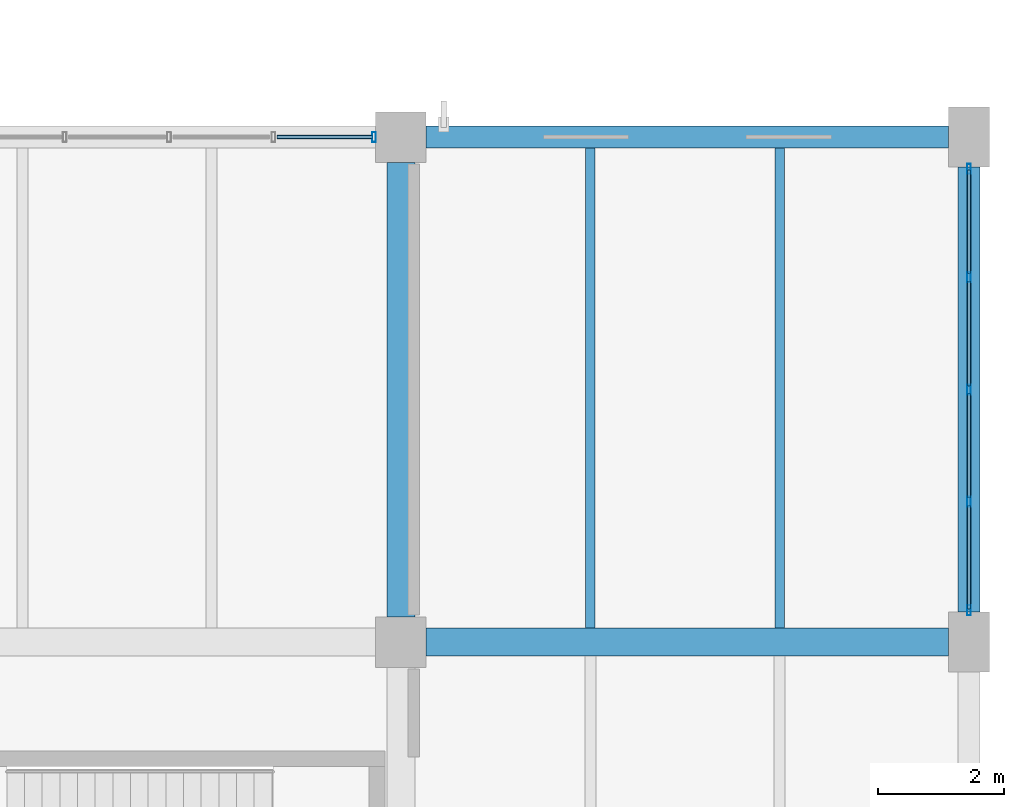
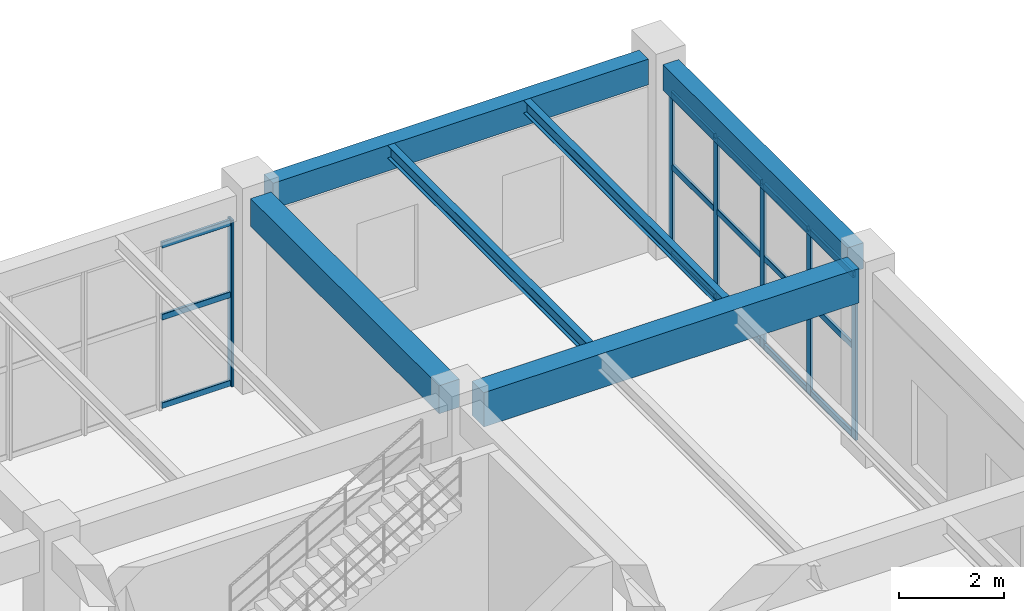
# One storey, part 137 of 178: 21 members, 6 beams, 2 elements without a shape of their own.
"""IFC4 building model written with IfcOpenShell, lengths in metres."""

from ifc_helpers import new_model, si_unit, derived_unit, direction, frame, origin, origin_2d, place, context, subcontext, project, spatial, rectangle, hollow_rectangle, i_section, extrude, material, material_profile, profile_set, type_object, element, aggregate, save


model = new_model("IFC4")

# Units and contexts
model_context = context("Model", 3, precision=1e-05, world=origin(), true_north=direction((0.0, 1.0)))
body_context = subcontext(model_context, "Body", "Model", "MODEL_VIEW")
ifc_project = project(units=[si_unit("LENGTHUNIT", "METRE"), si_unit("AREAUNIT", "SQUARE_METRE"), si_unit("VOLUMEUNIT", "CUBIC_METRE"), si_unit("PLANEANGLEUNIT", "RADIAN"), si_unit("MASSUNIT", "GRAM", prefix="KILO"), derived_unit("THERMALTRANSMITTANCEUNIT", [(si_unit("MASSUNIT", "GRAM", prefix="KILO"), 1), (si_unit("TIMEUNIT", "SECOND"), -3), (si_unit("THERMODYNAMICTEMPERATUREUNIT", "KELVIN"), -1)])], contexts=[model_context])

# Site, building, storey
site_placement = place(None, origin())
site = spatial("IfcSite", under=ifc_project, at=site_placement, CompositionType="ELEMENT")
building_placement = place(site_placement, origin())
building = spatial("IfcBuilding", under=site, at=building_placement, Name="Zhenchuan Archway Interchange", CompositionType="ELEMENT")
storey_placement = place(building_placement, frame((0.0, 0.0, 5.39990234375)))
storey = spatial("IfcBuildingStorey", under=building, at=storey_placement, Name="L01", CompositionType="ELEMENT", Elevation=5.39990234375)

# Beams
ifc_material_1 = material(Name="Concrete C40", Category="concrete")
ifc_material_profile_1 = material_profile(ifc_material_1, rectangle(XDim=0.449951171875, YDim=0.64990234375, at=origin_2d()), Name="RC 450x650")
ifc_profile_set_1 = profile_set([ifc_material_profile_1], Name="Concrete C40")
beam_type_1 = type_object("IfcBeamType", Name="BM_RC_450x650", PredefinedType="BEAM", material=ifc_profile_set_1)
beam_1_placement = place(storey_placement, frame((162.0, 96.39990234375, 4.18505859375), z_axis=(0.0, 1.0, 0.0), x_axis=(-1.0, 0.0, 0.0)))
element("IfcBeam", 1, at=beam_1_placement, inside=storey, type_object=beam_type_1, Name="Beam 19:N-O (L01)", PredefinedType="BEAM", context=body_context, shape_type="SweptSolid", body=[
    extrude(rectangle(XDim=0.449951171875, YDim=0.64990234375, at=origin_2d()), origin(), (0.0, 0.0, 1.0), 7.2001953125),
])
ifc_material_profile_2 = material_profile(ifc_material_1, rectangle(XDim=0.449951171875, YDim=0.800048828125, at=origin_2d()), Name="RC 450x800")
ifc_profile_set_2 = profile_set([ifc_material_profile_2], Name="Concrete C40")
beam_type_2 = type_object("IfcBeamType", Name="BM_RC_450x800", PredefinedType="BEAM", material=ifc_profile_set_2)
beam_2_placement = place(storey_placement, frame((162.39990234375, 96.0, 4.110107421875), z_axis=(1.0, 0.0, 0.0), x_axis=(0.0, 1.0, 0.0)))
element("IfcBeam", 2, at=beam_2_placement, inside=storey, type_object=beam_type_2, Name="Beam N:19-20 (L01)", PredefinedType="BEAM", context=body_context, shape_type="SweptSolid", body=[
    extrude(rectangle(XDim=0.449951171875, YDim=0.800048828125, at=origin_2d()), origin(), (0.0, 0.0, 1.0), 8.275146484375),
])

# Curtain wall, member
ifc_material_2 = material(Name="Anodised Aluminium", Category="aluminium")
curtain_wall_type_1 = type_object("IfcCurtainWallType", Name="CW_UNIT_4", PredefinedType="NOTDEFINED", material=ifc_material_2)
curtain_wall_1_placement = place(storey_placement, origin())
curtain_wall_1 = element("IfcCurtainWall", 3, at=curtain_wall_1_placement, inside=storey, type_object=curtain_wall_type_1, Name="Unitised curtain wall CW:L01:063", PredefinedType="NOTDEFINED")
ifc_material_profile_3 = material_profile(ifc_material_2, hollow_rectangle(XDim=0.06005859375, YDim=0.159912109375, WallThickness=0.00390625, InnerFilletRadius=0.00390625, OuterFilletRadius=0.008056640625, at=origin_2d()), Name="ALU 160x60x4")
ifc_profile_set_3 = profile_set([ifc_material_profile_3], Name="Anodised Aluminium")
member_type_1 = type_object("IfcMemberType", Name="CW_MUL_150", PredefinedType="MULLION", material=ifc_profile_set_3)
member_1_placement = place(storey_placement, frame((161.572021484375, 104.0, 0.0), z_axis=(0.0, 0.0, 1.0), x_axis=(1.0, 0.0, 0.0)))
member_1 = element("IfcMember", 4, at=member_1_placement, type_object=member_type_1, Name="CW:L01:063 mullion 5", PredefinedType="MULLION", context=body_context, shape_type="SweptSolid", body=[
    extrude(hollow_rectangle(XDim=0.06005859375, YDim=0.159912109375, WallThickness=0.00390625, InnerFilletRadius=0.00390625, OuterFilletRadius=0.008056640625, at=origin_2d()), origin(), (0.0, 0.0, 1.0), 3.880126953125),
])

# Curtain wall, members
curtain_wall_type_2 = type_object("IfcCurtainWallType", Name="CW_UNIT_1", PredefinedType="NOTDEFINED", material=ifc_material_2)
curtain_wall_2_placement = place(storey_placement, origin())
curtain_wall_2 = element("IfcCurtainWall", 5, at=curtain_wall_2_placement, inside=storey, type_object=curtain_wall_type_2, Name="Unitised curtain wall CW:L01:064", PredefinedType="NOTDEFINED")
member_2_placement = place(storey_placement, frame((171.0, 103.4970703125, 0.0), z_axis=(0.0, 0.0, 1.0), x_axis=(1.0, 0.0, 0.0)))
member_2 = element("IfcMember", 6, at=member_2_placement, type_object=member_type_1, Name="CW:L01:064 mullion 0", PredefinedType="MULLION", context=body_context, shape_type="SweptSolid", body=[
    extrude(hollow_rectangle(XDim=0.06005859375, YDim=0.159912109375, WallThickness=0.00390625, InnerFilletRadius=0.00390625, OuterFilletRadius=0.008056640625, at=origin_2d()), origin(), (0.0, 0.0, 1.0), 3.880126953125),
])
member_3_placement = place(storey_placement, frame((171.0, 101.778564453125, 0.0), z_axis=(0.0, 0.0, 1.0), x_axis=(1.0, 0.0, 0.0)))
member_3 = element("IfcMember", 7, at=member_3_placement, type_object=member_type_1, Name="CW:L01:064 mullion 1", PredefinedType="MULLION", context=body_context, shape_type="SweptSolid", body=[
    extrude(hollow_rectangle(XDim=0.06005859375, YDim=0.159912109375, WallThickness=0.00390625, InnerFilletRadius=0.00390625, OuterFilletRadius=0.008056640625, at=origin_2d()), origin(), (0.0, 0.0, 1.0), 3.880126953125),
])
member_4_placement = place(storey_placement, frame((171.0, 100.0, 0.0), z_axis=(0.0, 0.0, 1.0), x_axis=(1.0, 0.0, 0.0)))
member_4 = element("IfcMember", 8, at=member_4_placement, type_object=member_type_1, Name="CW:L01:064 mullion 2", PredefinedType="MULLION", context=body_context, shape_type="SweptSolid", body=[
    extrude(hollow_rectangle(XDim=0.06005859375, YDim=0.159912109375, WallThickness=0.00390625, InnerFilletRadius=0.00390625, OuterFilletRadius=0.008056640625, at=origin_2d()), origin(), (0.0, 0.0, 1.0), 3.880126953125),
])
member_5_placement = place(storey_placement, frame((171.0, 98.221435546875, 0.0), z_axis=(0.0, 0.0, 1.0), x_axis=(1.0, 0.0, 0.0)))
member_5 = element("IfcMember", 9, at=member_5_placement, type_object=member_type_1, Name="CW:L01:064 mullion 3", PredefinedType="MULLION", context=body_context, shape_type="SweptSolid", body=[
    extrude(hollow_rectangle(XDim=0.06005859375, YDim=0.159912109375, WallThickness=0.00390625, InnerFilletRadius=0.00390625, OuterFilletRadius=0.008056640625, at=origin_2d()), origin(), (0.0, 0.0, 1.0), 3.880126953125),
])
member_6_placement = place(storey_placement, frame((171.0, 96.5029296875, 0.0), z_axis=(0.0, 0.0, 1.0), x_axis=(1.0, 0.0, 0.0)))
member_6 = element("IfcMember", 10, at=member_6_placement, type_object=member_type_1, Name="CW:L01:064 mullion 4", PredefinedType="MULLION", context=body_context, shape_type="SweptSolid", body=[
    extrude(hollow_rectangle(XDim=0.06005859375, YDim=0.159912109375, WallThickness=0.00390625, InnerFilletRadius=0.00390625, OuterFilletRadius=0.008056640625, at=origin_2d()), origin(), (0.0, 0.0, 1.0), 3.880126953125),
])

# Member
ifc_material_profile_4 = material_profile(ifc_material_2, hollow_rectangle(XDim=0.06005859375, YDim=0.139892578125, WallThickness=0.00341796875, InnerFilletRadius=0.00341796875, OuterFilletRadius=0.007080078125, at=origin_2d()), Name="ALU 140x60x3.5")
ifc_profile_set_4 = profile_set([ifc_material_profile_4], Name="Anodised Aluminium")
member_type_2 = type_object("IfcMemberType", Name="CW_TRN_140", PredefinedType="USERDEFINED", material=ifc_profile_set_4)
member_7_placement = place(storey_placement, frame((160.039306640625, 104.0, 0.06005859375), z_axis=(1.0, 0.0, 0.0), x_axis=(0.0, 1.0, 0.0)))
member_7 = element("IfcMember", 11, at=member_7_placement, type_object=member_type_2, Name="CW:L01:063 transom 4-1", ObjectType="TRANSOM", PredefinedType="USERDEFINED", context=body_context, shape_type="SweptSolid", body=[
    extrude(hollow_rectangle(XDim=0.06005859375, YDim=0.139892578125, WallThickness=0.00341796875, InnerFilletRadius=0.00341796875, OuterFilletRadius=0.007080078125, at=origin_2d()), origin(), (0.0, 0.0, 1.0), 1.5126953125),
])

member_8_placement = place(storey_placement, frame((160.039306640625, 104.0, 2.123046875), z_axis=(1.0, 0.0, 0.0), x_axis=(0.0, 1.0, 0.0)))
member_8 = element("IfcMember", 12, at=member_8_placement, type_object=member_type_2, Name="CW:L01:063 transom 4-2", ObjectType="TRANSOM", PredefinedType="USERDEFINED", context=body_context, shape_type="SweptSolid", body=[
    extrude(hollow_rectangle(XDim=0.06005859375, YDim=0.139892578125, WallThickness=0.00341796875, InnerFilletRadius=0.00341796875, OuterFilletRadius=0.007080078125, at=origin_2d()), origin(), (0.0, 0.0, 1.0), 1.5126953125),
])

member_9_placement = place(storey_placement, frame((160.039306640625, 104.0, 3.800048828125), z_axis=(1.0, 0.0, 0.0), x_axis=(0.0, 1.0, 0.0)))
member_9 = element("IfcMember", 13, at=member_9_placement, type_object=member_type_2, Name="CW:L01:063 transom 4-3", ObjectType="TRANSOM", PredefinedType="USERDEFINED", context=body_context, shape_type="SweptSolid", body=[
    extrude(hollow_rectangle(XDim=0.06005859375, YDim=0.139892578125, WallThickness=0.00341796875, InnerFilletRadius=0.00341796875, OuterFilletRadius=0.007080078125, at=origin_2d()), origin(), (0.0, 0.0, 1.0), 1.5126953125),
])

aggregate(curtain_wall_1, [member_1, member_7, member_8, member_9])

member_10_placement = place(storey_placement, frame((171.0, 103.47705078125, 0.06005859375), z_axis=(0.0, -1.0, 0.0), x_axis=(1.0, 0.0, 0.0)))
member_10 = element("IfcMember", 14, at=member_10_placement, type_object=member_type_2, Name="CW:L01:064 transom 0-1", ObjectType="TRANSOM", PredefinedType="USERDEFINED", context=body_context, shape_type="SweptSolid", body=[
    extrude(hollow_rectangle(XDim=0.06005859375, YDim=0.139892578125, WallThickness=0.00341796875, InnerFilletRadius=0.00341796875, OuterFilletRadius=0.007080078125, at=origin_2d()), origin(), (0.0, 0.0, 1.0), 1.638671875),
])

member_11_placement = place(storey_placement, frame((171.0, 103.47705078125, 2.123046875), z_axis=(0.0, -1.0, 0.0), x_axis=(1.0, 0.0, 0.0)))
member_11 = element("IfcMember", 15, at=member_11_placement, type_object=member_type_2, Name="CW:L01:064 transom 0-2", ObjectType="TRANSOM", PredefinedType="USERDEFINED", context=body_context, shape_type="SweptSolid", body=[
    extrude(hollow_rectangle(XDim=0.06005859375, YDim=0.139892578125, WallThickness=0.00341796875, InnerFilletRadius=0.00341796875, OuterFilletRadius=0.007080078125, at=origin_2d()), origin(), (0.0, 0.0, 1.0), 1.638671875),
])

member_12_placement = place(storey_placement, frame((171.0, 103.47705078125, 3.800048828125), z_axis=(0.0, -1.0, 0.0), x_axis=(1.0, 0.0, 0.0)))
member_12 = element("IfcMember", 16, at=member_12_placement, type_object=member_type_2, Name="CW:L01:064 transom 0-3", ObjectType="TRANSOM", PredefinedType="USERDEFINED", context=body_context, shape_type="SweptSolid", body=[
    extrude(hollow_rectangle(XDim=0.06005859375, YDim=0.139892578125, WallThickness=0.00341796875, InnerFilletRadius=0.00341796875, OuterFilletRadius=0.007080078125, at=origin_2d()), origin(), (0.0, 0.0, 1.0), 1.638671875),
])

member_13_placement = place(storey_placement, frame((171.0, 101.718505859375, 0.06005859375), z_axis=(0.0, -1.0, 0.0), x_axis=(1.0, 0.0, 0.0)))
member_13 = element("IfcMember", 17, at=member_13_placement, type_object=member_type_2, Name="CW:L01:064 transom 1-1", ObjectType="TRANSOM", PredefinedType="USERDEFINED", context=body_context, shape_type="SweptSolid", body=[
    extrude(hollow_rectangle(XDim=0.06005859375, YDim=0.139892578125, WallThickness=0.00341796875, InnerFilletRadius=0.00341796875, OuterFilletRadius=0.007080078125, at=origin_2d()), origin(), (0.0, 0.0, 1.0), 1.658447265625),
])

member_14_placement = place(storey_placement, frame((171.0, 101.718505859375, 2.123046875), z_axis=(0.0, -1.0, 0.0), x_axis=(1.0, 0.0, 0.0)))
member_14 = element("IfcMember", 18, at=member_14_placement, type_object=member_type_2, Name="CW:L01:064 transom 1-2", ObjectType="TRANSOM", PredefinedType="USERDEFINED", context=body_context, shape_type="SweptSolid", body=[
    extrude(hollow_rectangle(XDim=0.06005859375, YDim=0.139892578125, WallThickness=0.00341796875, InnerFilletRadius=0.00341796875, OuterFilletRadius=0.007080078125, at=origin_2d()), origin(), (0.0, 0.0, 1.0), 1.658447265625),
])

member_15_placement = place(storey_placement, frame((171.0, 101.718505859375, 3.800048828125), z_axis=(0.0, -1.0, 0.0), x_axis=(1.0, 0.0, 0.0)))
member_15 = element("IfcMember", 19, at=member_15_placement, type_object=member_type_2, Name="CW:L01:064 transom 1-3", ObjectType="TRANSOM", PredefinedType="USERDEFINED", context=body_context, shape_type="SweptSolid", body=[
    extrude(hollow_rectangle(XDim=0.06005859375, YDim=0.139892578125, WallThickness=0.00341796875, InnerFilletRadius=0.00341796875, OuterFilletRadius=0.007080078125, at=origin_2d()), origin(), (0.0, 0.0, 1.0), 1.658447265625),
])

member_16_placement = place(storey_placement, frame((171.0, 99.93994140625, 0.06005859375), z_axis=(0.0, -1.0, 0.0), x_axis=(1.0, 0.0, 0.0)))
member_16 = element("IfcMember", 20, at=member_16_placement, type_object=member_type_2, Name="CW:L01:064 transom 2-1", ObjectType="TRANSOM", PredefinedType="USERDEFINED", context=body_context, shape_type="SweptSolid", body=[
    extrude(hollow_rectangle(XDim=0.06005859375, YDim=0.139892578125, WallThickness=0.00341796875, InnerFilletRadius=0.00341796875, OuterFilletRadius=0.007080078125, at=origin_2d()), origin(), (0.0, 0.0, 1.0), 1.658447265625),
])

member_17_placement = place(storey_placement, frame((171.0, 99.93994140625, 2.123046875), z_axis=(0.0, -1.0, 0.0), x_axis=(1.0, 0.0, 0.0)))
member_17 = element("IfcMember", 21, at=member_17_placement, type_object=member_type_2, Name="CW:L01:064 transom 2-2", ObjectType="TRANSOM", PredefinedType="USERDEFINED", context=body_context, shape_type="SweptSolid", body=[
    extrude(hollow_rectangle(XDim=0.06005859375, YDim=0.139892578125, WallThickness=0.00341796875, InnerFilletRadius=0.00341796875, OuterFilletRadius=0.007080078125, at=origin_2d()), origin(), (0.0, 0.0, 1.0), 1.658447265625),
])

member_18_placement = place(storey_placement, frame((171.0, 99.93994140625, 3.800048828125), z_axis=(0.0, -1.0, 0.0), x_axis=(1.0, 0.0, 0.0)))
member_18 = element("IfcMember", 22, at=member_18_placement, type_object=member_type_2, Name="CW:L01:064 transom 2-3", ObjectType="TRANSOM", PredefinedType="USERDEFINED", context=body_context, shape_type="SweptSolid", body=[
    extrude(hollow_rectangle(XDim=0.06005859375, YDim=0.139892578125, WallThickness=0.00341796875, InnerFilletRadius=0.00341796875, OuterFilletRadius=0.007080078125, at=origin_2d()), origin(), (0.0, 0.0, 1.0), 1.658447265625),
])

member_19_placement = place(storey_placement, frame((171.0, 98.16162109375, 0.06005859375), z_axis=(0.0, -1.0, 0.0), x_axis=(1.0, 0.0, 0.0)))
member_19 = element("IfcMember", 23, at=member_19_placement, type_object=member_type_2, Name="CW:L01:064 transom 3-1", ObjectType="TRANSOM", PredefinedType="USERDEFINED", context=body_context, shape_type="SweptSolid", body=[
    extrude(hollow_rectangle(XDim=0.06005859375, YDim=0.139892578125, WallThickness=0.00341796875, InnerFilletRadius=0.00341796875, OuterFilletRadius=0.007080078125, at=origin_2d()), origin(), (0.0, 0.0, 1.0), 1.638671875),
])

member_20_placement = place(storey_placement, frame((171.0, 98.16162109375, 2.123046875), z_axis=(0.0, -1.0, 0.0), x_axis=(1.0, 0.0, 0.0)))
member_20 = element("IfcMember", 24, at=member_20_placement, type_object=member_type_2, Name="CW:L01:064 transom 3-2", ObjectType="TRANSOM", PredefinedType="USERDEFINED", context=body_context, shape_type="SweptSolid", body=[
    extrude(hollow_rectangle(XDim=0.06005859375, YDim=0.139892578125, WallThickness=0.00341796875, InnerFilletRadius=0.00341796875, OuterFilletRadius=0.007080078125, at=origin_2d()), origin(), (0.0, 0.0, 1.0), 1.638671875),
])

member_21_placement = place(storey_placement, frame((171.0, 98.16162109375, 3.800048828125), z_axis=(0.0, -1.0, 0.0), x_axis=(1.0, 0.0, 0.0)))
member_21 = element("IfcMember", 25, at=member_21_placement, type_object=member_type_2, Name="CW:L01:064 transom 3-3", ObjectType="TRANSOM", PredefinedType="USERDEFINED", context=body_context, shape_type="SweptSolid", body=[
    extrude(hollow_rectangle(XDim=0.06005859375, YDim=0.139892578125, WallThickness=0.00341796875, InnerFilletRadius=0.00341796875, OuterFilletRadius=0.007080078125, at=origin_2d()), origin(), (0.0, 0.0, 1.0), 1.638671875),
])

aggregate(curtain_wall_2, [member_2, member_3, member_4, member_5, member_6, member_10, member_11, member_12, member_13, member_14, member_15, member_16, member_17, member_18, member_19, member_20, member_21])

# Beams
ifc_material_3 = material(Name="Steel Q355", Category="steel")
ifc_material_profile_5 = material_profile(ifc_material_3, i_section(OverallWidth=0.14990234375, OverallDepth=0.300048828125, WebThickness=0.006591796875, FlangeThickness=0.009033203125, FilletRadius=0.012939453125, at=origin_2d()), Name="HN 300x150")
ifc_profile_set_5 = profile_set([ifc_material_profile_5], Name="Steel Q355")
beam_type_3 = type_object("IfcBeamType", Name="JST_STL_HN300", PredefinedType="JOIST", material=ifc_profile_set_5)
for number, where, z_axis, x_axis, name in (
    (26, (165.0, 96.22509765625, 4.360107421875), (0.0, 1.0, 0.0), (-1.0, 0.0, 0.0), "Secondary joist 19-20/N-O #1 (L01)"),
    (27, (168.0, 96.22509765625, 4.360107421875), (0.0, 1.0, 0.0), (-1.0, 0.0, 0.0), "Secondary joist 19-20/N-O #2 (L01)"),
):
    element("IfcBeam", number, at=place(storey_placement, frame(where, z_axis=z_axis, x_axis=x_axis)), inside=storey, type_object=beam_type_3, Name=name, PredefinedType="JOIST", context=body_context, shape_type="SweptSolid", body=[
        extrude(i_section(OverallWidth=0.14990234375, OverallDepth=0.300048828125, WebThickness=0.006591796875, FlangeThickness=0.009033203125, FilletRadius=0.012939453125, at=origin_2d()), origin(), (0.0, 0.0, 1.0), 7.599853515625),
    ])
ifc_material_profile_6 = material_profile(ifc_material_1, rectangle(XDim=0.35009765625, YDim=0.60009765625, at=origin_2d()), Name="RC 350x600")
ifc_profile_set_6 = profile_set([ifc_material_profile_6], Name="Concrete C40")
beam_type_4 = type_object("IfcBeamType", Name="SP_RC_350x600", PredefinedType="SPANDREL", material=ifc_profile_set_6)
beam_3_placement = place(storey_placement, frame((162.39990234375, 104.0, 4.210205078125), z_axis=(1.0, 0.0, 0.0), x_axis=(0.0, 1.0, 0.0)))
element("IfcBeam", 28, at=beam_3_placement, inside=storey, type_object=beam_type_4, Name="Beam O:19-20 (L01)", PredefinedType="SPANDREL", context=body_context, shape_type="SweptSolid", body=[
    extrude(rectangle(XDim=0.35009765625, YDim=0.60009765625, at=origin_2d()), origin(), (0.0, 0.0, 1.0), 8.275146484375),
])
beam_4_placement = place(storey_placement, frame((171.0, 96.47509765625, 4.210205078125), z_axis=(0.0, 1.0, 0.0), x_axis=(-1.0, 0.0, 0.0)))
element("IfcBeam", 29, at=beam_4_placement, inside=storey, type_object=beam_type_4, Name="Beam 20:N-O (L01)", PredefinedType="SPANDREL", context=body_context, shape_type="SweptSolid", body=[
    extrude(rectangle(XDim=0.35009765625, YDim=0.60009765625, at=origin_2d()), origin(), (0.0, 0.0, 1.0), 7.0498046875),
])

save(model, "model.ifc")
